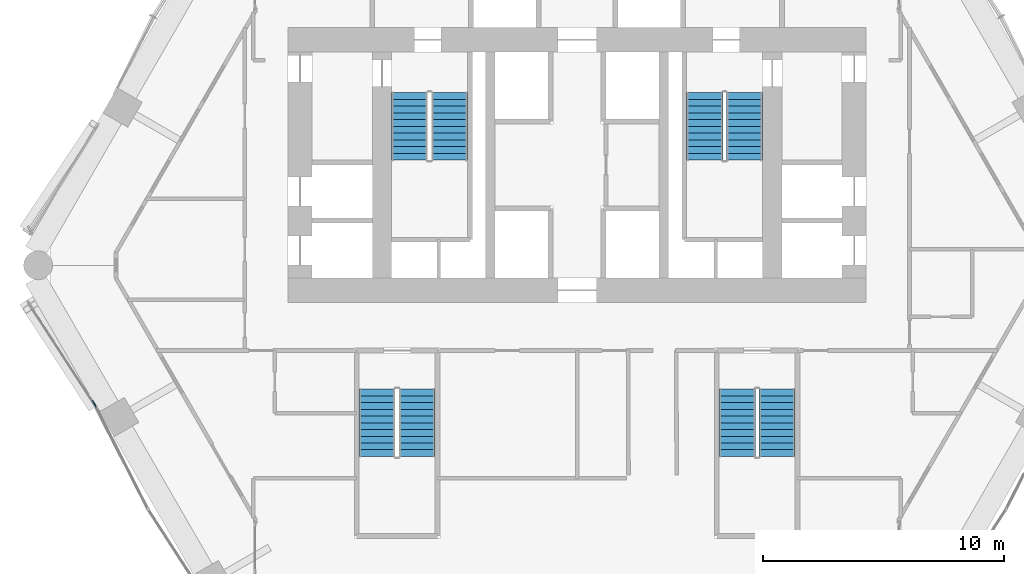
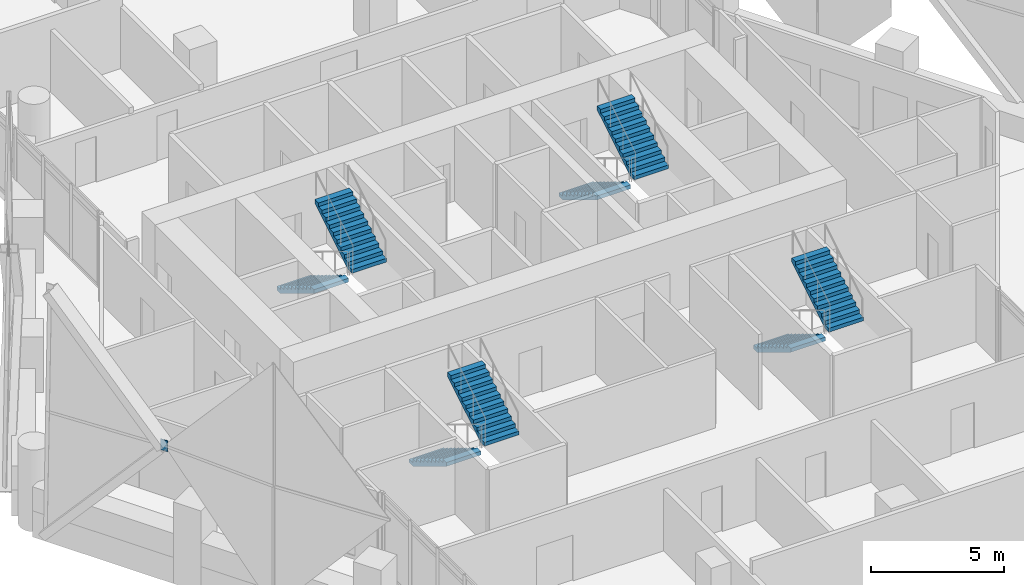
# One storey, part 33 of 38: 8 stair flights, 1 discrete accessory, 4 elements without a shape of their own.
"""IFC4 building model written with IfcOpenShell, lengths in metres."""

from ifc_helpers import new_model, si_unit, direction, frame, origin, origin_2d, place, context, subcontext, project, spatial, polyline, rectangle, outline, extrude, material, layer, layer_set, type_object, element, aggregate, save


model = new_model("IFC4")

# Units and contexts
model_context = context("Model", 3, precision=1e-05, world=origin(), true_north=direction((0.0, 1.0)))
body_context = subcontext(model_context, "Body", "Model", "MODEL_VIEW")
ifc_project = project(units=[si_unit("LENGTHUNIT", "METRE"), si_unit("AREAUNIT", "SQUARE_METRE"), si_unit("VOLUMEUNIT", "CUBIC_METRE"), si_unit("PLANEANGLEUNIT", "RADIAN"), si_unit("MASSUNIT", "GRAM", prefix="KILO")], contexts=[model_context])

# Site, building, storey
site_placement = place(None, origin())
site = spatial("IfcSite", under=ifc_project, at=site_placement, CompositionType="ELEMENT")
building_placement = place(site_placement, origin())
building = spatial("IfcBuilding", under=site, at=building_placement, Name="Ostrander Bayou Hotel Tower", CompositionType="ELEMENT")
storey_placement = place(building_placement, frame((0.0, 0.0, 96.75)))
storey = spatial("IfcBuildingStorey", under=building, at=storey_placement, Name="L24", CompositionType="ELEMENT", Elevation=96.75)

# Stair, stair flights
ifc_material_1 = material(Name="Concrete f'c 45 MPa", Category="concrete")
stair_type = type_object("IfcStairType", Name="ST1 exit stair 1500 mm f'c 45 MPa", PredefinedType="HALF_TURN_STAIR", material=ifc_material_1)
stair_1_placement = place(storey_placement, origin())
stair_1 = element("IfcStair", 1, at=stair_1_placement, inside=storey, type_object=stair_type, Name="L24 exit stair A", PredefinedType="HALF_TURN_STAIR")
ifc_material_2 = material(Name="Concrete f'c 45 MPa", Category="concrete")
stair_flight_type = type_object("IfcStairFlightType", Name="SF1 stair flight 1500 mm f'c 45 MPa", PredefinedType="STRAIGHT", material=ifc_material_2)
stair_flight_1_placement = place(storey_placement, frame((-6.949951171875, 7.0, 0.0), z_axis=(0.0, 0.0, 1.0), x_axis=(0.0, -1.0, 0.0)))
stair_flight_1 = element("IfcStairFlight", 2, at=stair_flight_1_placement, type_object=stair_flight_type, Name="STA flight 1", NumberOfRisers=11, NumberOfTreads=10, PredefinedType="STRAIGHT", RiserHeight=0.170454545, TreadLength=0.28, context=body_context, shape_type="SweptSolid", body=[
    extrude(outline(polyline([(0.0, 0.0), (0.0, 0.17041015625), (0.280029296875, 0.17041015625), (0.280029296875, 0.3408203125), (0.56005859375, 0.3408203125), (0.56005859375, 0.511474609375), (0.840087890625, 0.511474609375), (0.840087890625, 0.681884765625), (1.1201171875, 0.681884765625), (1.1201171875, 0.852294921875), (1.39990234375, 0.852294921875), (1.39990234375, 1.022705078125), (1.679931640625, 1.022705078125), (1.679931640625, 1.193115234375), (1.9599609375, 1.193115234375), (1.9599609375, 1.363525390625), (2.239990234375, 1.363525390625), (2.239990234375, 1.5341796875), (2.52001953125, 1.5341796875), (2.52001953125, 1.70458984375), (2.800048828125, 1.70458984375), (2.800048828125, 1.875), (2.800048828125, 1.529052734375), (0.288330078125, 0.0), (0.0, 0.0)])), frame((0.0, 0.75, 0.0), z_axis=(0.0, -1.0, 0.0), x_axis=(1.0, 0.0, 0.0)), (0.0, 0.0, 1.0), 1.5),
])
stair_flight_2_placement = place(storey_placement, frame((-5.300048828125, 4.199951171875, 1.875), z_axis=(0.0, 0.0, 1.0), x_axis=(0.0, 1.0, 0.0)))
stair_flight_2 = element("IfcStairFlight", 3, at=stair_flight_2_placement, type_object=stair_flight_type, Name="STA flight 2", NumberOfRisers=11, NumberOfTreads=10, PredefinedType="STRAIGHT", RiserHeight=0.170454545, TreadLength=0.28, context=body_context, shape_type="SweptSolid", body=[
    extrude(outline(polyline([(0.0, 0.0), (0.0, 0.17041015625), (0.280029296875, 0.17041015625), (0.280029296875, 0.3408203125), (0.56005859375, 0.3408203125), (0.56005859375, 0.511474609375), (0.840087890625, 0.511474609375), (0.840087890625, 0.681884765625), (1.1201171875, 0.681884765625), (1.1201171875, 0.852294921875), (1.39990234375, 0.852294921875), (1.39990234375, 1.022705078125), (1.679931640625, 1.022705078125), (1.679931640625, 1.193115234375), (1.9599609375, 1.193115234375), (1.9599609375, 1.363525390625), (2.239990234375, 1.363525390625), (2.239990234375, 1.5341796875), (2.52001953125, 1.5341796875), (2.52001953125, 1.70458984375), (2.800048828125, 1.70458984375), (2.800048828125, 1.875), (2.800048828125, 1.529052734375), (0.288330078125, 0.0), (0.0, 0.0)])), frame((0.0, 0.75, 0.0), z_axis=(0.0, -1.0, 0.0), x_axis=(1.0, 0.0, 0.0)), (0.0, 0.0, 1.0), 1.5),
])
aggregate(stair_1, [stair_flight_1, stair_flight_2])

stair_2_placement = place(storey_placement, origin())
stair_2 = element("IfcStair", 4, at=stair_2_placement, inside=storey, type_object=stair_type, Name="L24 exit stair B", PredefinedType="HALF_TURN_STAIR")
stair_flight_3_placement = place(storey_placement, frame((5.300048828125, 7.0, 0.0), z_axis=(0.0, 0.0, 1.0), x_axis=(0.0, -1.0, 0.0)))
stair_flight_3 = element("IfcStairFlight", 5, at=stair_flight_3_placement, type_object=stair_flight_type, Name="STB flight 1", NumberOfRisers=11, NumberOfTreads=10, PredefinedType="STRAIGHT", RiserHeight=0.170454545, TreadLength=0.28, context=body_context, shape_type="SweptSolid", body=[
    extrude(outline(polyline([(0.0, 0.0), (0.0, 0.17041015625), (0.280029296875, 0.17041015625), (0.280029296875, 0.3408203125), (0.56005859375, 0.3408203125), (0.56005859375, 0.511474609375), (0.840087890625, 0.511474609375), (0.840087890625, 0.681884765625), (1.1201171875, 0.681884765625), (1.1201171875, 0.852294921875), (1.39990234375, 0.852294921875), (1.39990234375, 1.022705078125), (1.679931640625, 1.022705078125), (1.679931640625, 1.193115234375), (1.9599609375, 1.193115234375), (1.9599609375, 1.363525390625), (2.239990234375, 1.363525390625), (2.239990234375, 1.5341796875), (2.52001953125, 1.5341796875), (2.52001953125, 1.70458984375), (2.800048828125, 1.70458984375), (2.800048828125, 1.875), (2.800048828125, 1.529052734375), (0.288330078125, 0.0), (0.0, 0.0)])), frame((0.0, 0.75, 0.0), z_axis=(0.0, -1.0, 0.0), x_axis=(1.0, 0.0, 0.0)), (0.0, 0.0, 1.0), 1.5),
])
stair_flight_4_placement = place(storey_placement, frame((6.949951171875, 4.199951171875, 1.875), z_axis=(0.0, 0.0, 1.0), x_axis=(0.0, 1.0, 0.0)))
stair_flight_4 = element("IfcStairFlight", 6, at=stair_flight_4_placement, type_object=stair_flight_type, Name="STB flight 2", NumberOfRisers=11, NumberOfTreads=10, PredefinedType="STRAIGHT", RiserHeight=0.170454545, TreadLength=0.28, context=body_context, shape_type="SweptSolid", body=[
    extrude(outline(polyline([(0.0, 0.0), (0.0, 0.17041015625), (0.280029296875, 0.17041015625), (0.280029296875, 0.3408203125), (0.56005859375, 0.3408203125), (0.56005859375, 0.511474609375), (0.840087890625, 0.511474609375), (0.840087890625, 0.681884765625), (1.1201171875, 0.681884765625), (1.1201171875, 0.852294921875), (1.39990234375, 0.852294921875), (1.39990234375, 1.022705078125), (1.679931640625, 1.022705078125), (1.679931640625, 1.193115234375), (1.9599609375, 1.193115234375), (1.9599609375, 1.363525390625), (2.239990234375, 1.363525390625), (2.239990234375, 1.5341796875), (2.52001953125, 1.5341796875), (2.52001953125, 1.70458984375), (2.800048828125, 1.70458984375), (2.800048828125, 1.875), (2.800048828125, 1.529052734375), (0.288330078125, 0.0), (0.0, 0.0)])), frame((0.0, 0.75, 0.0), z_axis=(0.0, -1.0, 0.0), x_axis=(1.0, 0.0, 0.0)), (0.0, 0.0, 1.0), 1.5),
])
aggregate(stair_2, [stair_flight_3, stair_flight_4])

stair_3_placement = place(storey_placement, origin())
stair_3 = element("IfcStair", 7, at=stair_3_placement, inside=storey, type_object=stair_type, Name="L24 exit stair C", PredefinedType="HALF_TURN_STAIR")
stair_flight_5_placement = place(storey_placement, frame((6.64990234375, -5.300048828125, 0.0), z_axis=(0.0, 0.0, 1.0), x_axis=(0.0, -1.0, 0.0)))
stair_flight_5 = element("IfcStairFlight", 8, at=stair_flight_5_placement, type_object=stair_flight_type, Name="STC flight 1", NumberOfRisers=11, NumberOfTreads=10, PredefinedType="STRAIGHT", RiserHeight=0.170454545, TreadLength=0.28, context=body_context, shape_type="SweptSolid", body=[
    extrude(outline(polyline([(0.0, 0.0), (0.0, 0.17041015625), (0.280029296875, 0.17041015625), (0.280029296875, 0.3408203125), (0.56005859375, 0.3408203125), (0.56005859375, 0.511474609375), (0.840087890625, 0.511474609375), (0.840087890625, 0.681884765625), (1.1201171875, 0.681884765625), (1.1201171875, 0.852294921875), (1.39990234375, 0.852294921875), (1.39990234375, 1.022705078125), (1.679931640625, 1.022705078125), (1.679931640625, 1.193115234375), (1.9599609375, 1.193115234375), (1.9599609375, 1.363525390625), (2.239990234375, 1.363525390625), (2.239990234375, 1.5341796875), (2.52001953125, 1.5341796875), (2.52001953125, 1.70458984375), (2.800048828125, 1.70458984375), (2.800048828125, 1.875), (2.800048828125, 1.529052734375), (0.288330078125, 0.0), (0.0, 0.0)])), frame((0.0, 0.75, 0.0), z_axis=(0.0, -1.0, 0.0), x_axis=(1.0, 0.0, 0.0)), (0.0, 0.0, 1.0), 1.5),
])
stair_flight_6_placement = place(storey_placement, frame((8.300048828125, -8.10009765625, 1.875), z_axis=(0.0, 0.0, 1.0), x_axis=(0.0, 1.0, 0.0)))
stair_flight_6 = element("IfcStairFlight", 9, at=stair_flight_6_placement, type_object=stair_flight_type, Name="STC flight 2", NumberOfRisers=11, NumberOfTreads=10, PredefinedType="STRAIGHT", RiserHeight=0.170454545, TreadLength=0.28, context=body_context, shape_type="SweptSolid", body=[
    extrude(outline(polyline([(0.0, 0.0), (0.0, 0.17041015625), (0.280029296875, 0.17041015625), (0.280029296875, 0.3408203125), (0.56005859375, 0.3408203125), (0.56005859375, 0.511474609375), (0.840087890625, 0.511474609375), (0.840087890625, 0.681884765625), (1.1201171875, 0.681884765625), (1.1201171875, 0.852294921875), (1.39990234375, 0.852294921875), (1.39990234375, 1.022705078125), (1.679931640625, 1.022705078125), (1.679931640625, 1.193115234375), (1.9599609375, 1.193115234375), (1.9599609375, 1.363525390625), (2.239990234375, 1.363525390625), (2.239990234375, 1.5341796875), (2.52001953125, 1.5341796875), (2.52001953125, 1.70458984375), (2.800048828125, 1.70458984375), (2.800048828125, 1.875), (2.800048828125, 1.529052734375), (0.288330078125, 0.0), (0.0, 0.0)])), frame((0.0, 0.75, 0.0), z_axis=(0.0, -1.0, 0.0), x_axis=(1.0, 0.0, 0.0)), (0.0, 0.0, 1.0), 1.5),
])
aggregate(stair_3, [stair_flight_5, stair_flight_6])

stair_4_placement = place(storey_placement, origin())
stair_4 = element("IfcStair", 10, at=stair_4_placement, inside=storey, type_object=stair_type, Name="L24 exit stair D", PredefinedType="HALF_TURN_STAIR")
stair_flight_7_placement = place(storey_placement, frame((-8.300048828125, -5.300048828125, 0.0), z_axis=(0.0, 0.0, 1.0), x_axis=(0.0, -1.0, 0.0)))
stair_flight_7 = element("IfcStairFlight", 11, at=stair_flight_7_placement, type_object=stair_flight_type, Name="STD flight 1", NumberOfRisers=11, NumberOfTreads=10, PredefinedType="STRAIGHT", RiserHeight=0.170454545, TreadLength=0.28, context=body_context, shape_type="SweptSolid", body=[
    extrude(outline(polyline([(0.0, 0.0), (0.0, 0.17041015625), (0.280029296875, 0.17041015625), (0.280029296875, 0.3408203125), (0.56005859375, 0.3408203125), (0.56005859375, 0.511474609375), (0.840087890625, 0.511474609375), (0.840087890625, 0.681884765625), (1.1201171875, 0.681884765625), (1.1201171875, 0.852294921875), (1.39990234375, 0.852294921875), (1.39990234375, 1.022705078125), (1.679931640625, 1.022705078125), (1.679931640625, 1.193115234375), (1.9599609375, 1.193115234375), (1.9599609375, 1.363525390625), (2.239990234375, 1.363525390625), (2.239990234375, 1.5341796875), (2.52001953125, 1.5341796875), (2.52001953125, 1.70458984375), (2.800048828125, 1.70458984375), (2.800048828125, 1.875), (2.800048828125, 1.529052734375), (0.288330078125, 0.0), (0.0, 0.0)])), frame((0.0, 0.75, 0.0), z_axis=(0.0, -1.0, 0.0), x_axis=(1.0, 0.0, 0.0)), (0.0, 0.0, 1.0), 1.5),
])
stair_flight_8_placement = place(storey_placement, frame((-6.64990234375, -8.10009765625, 1.875), z_axis=(0.0, 0.0, 1.0), x_axis=(0.0, 1.0, 0.0)))
stair_flight_8 = element("IfcStairFlight", 12, at=stair_flight_8_placement, type_object=stair_flight_type, Name="STD flight 2", NumberOfRisers=11, NumberOfTreads=10, PredefinedType="STRAIGHT", RiserHeight=0.170454545, TreadLength=0.28, context=body_context, shape_type="SweptSolid", body=[
    extrude(outline(polyline([(0.0, 0.0), (0.0, 0.17041015625), (0.280029296875, 0.17041015625), (0.280029296875, 0.3408203125), (0.56005859375, 0.3408203125), (0.56005859375, 0.511474609375), (0.840087890625, 0.511474609375), (0.840087890625, 0.681884765625), (1.1201171875, 0.681884765625), (1.1201171875, 0.852294921875), (1.39990234375, 0.852294921875), (1.39990234375, 1.022705078125), (1.679931640625, 1.022705078125), (1.679931640625, 1.193115234375), (1.9599609375, 1.193115234375), (1.9599609375, 1.363525390625), (2.239990234375, 1.363525390625), (2.239990234375, 1.5341796875), (2.52001953125, 1.5341796875), (2.52001953125, 1.70458984375), (2.800048828125, 1.70458984375), (2.800048828125, 1.875), (2.800048828125, 1.529052734375), (0.288330078125, 0.0), (0.0, 0.0)])), frame((0.0, 0.75, 0.0), z_axis=(0.0, -1.0, 0.0), x_axis=(1.0, 0.0, 0.0)), (0.0, 0.0, 1.0), 1.5),
])
aggregate(stair_4, [stair_flight_7, stair_flight_8])

# Discrete accessory
ifc_material_3 = material(Name="Steel ASTM A572 Gr 50", Category="steel")
ifc_layer = layer(ifc_material_3, 0.030029296875)
ifc_layer_set = layer_set([ifc_layer], Name="GP1 gusset plate 30 mm")
discrete_accessory_type = type_object("IfcDiscreteAccessoryType", Name="GP1 gusset plate 30 mm", PredefinedType="BRACKET", material=ifc_layer_set)
discrete_accessory_placement = place(storey_placement, frame((-20.039794921875, -5.911376953125, 4.77490234375), z_axis=(0.0, 0.0, 1.0), x_axis=(0.5, -0.866025403784, 0.0)))
element("IfcDiscreteAccessory", 13, at=discrete_accessory_placement, inside=storey, type_object=discrete_accessory_type, Name="GP1 gusset plate lat 146", PredefinedType="BRACKET", context=body_context, shape_type="SweptSolid", body=[
    extrude(rectangle(XDim=0.300048828125, YDim=0.030029296875, at=origin_2d()), origin(), (0.0, 0.0, 1.0), 0.5),
])

save(model, "model.ifc")
